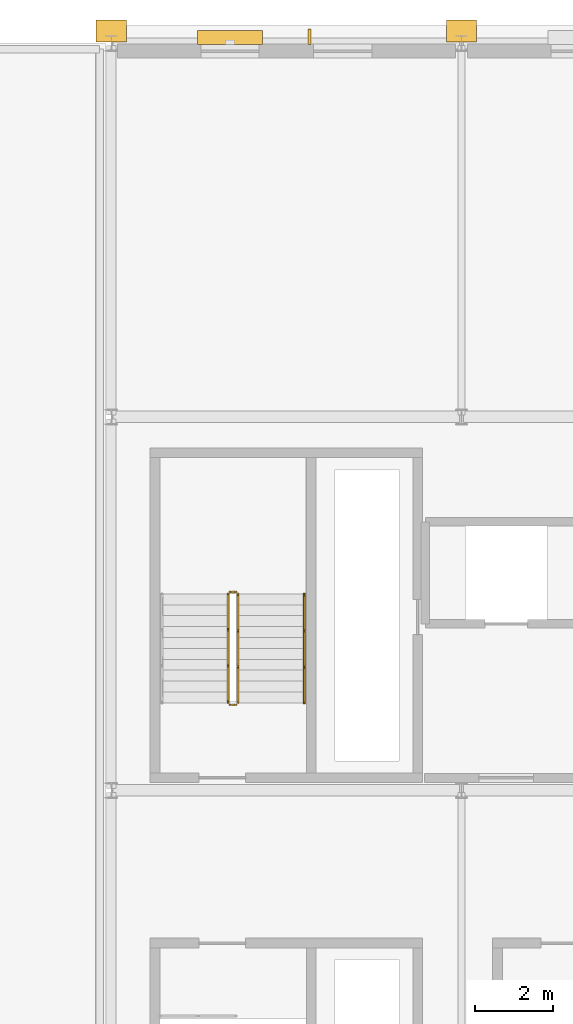
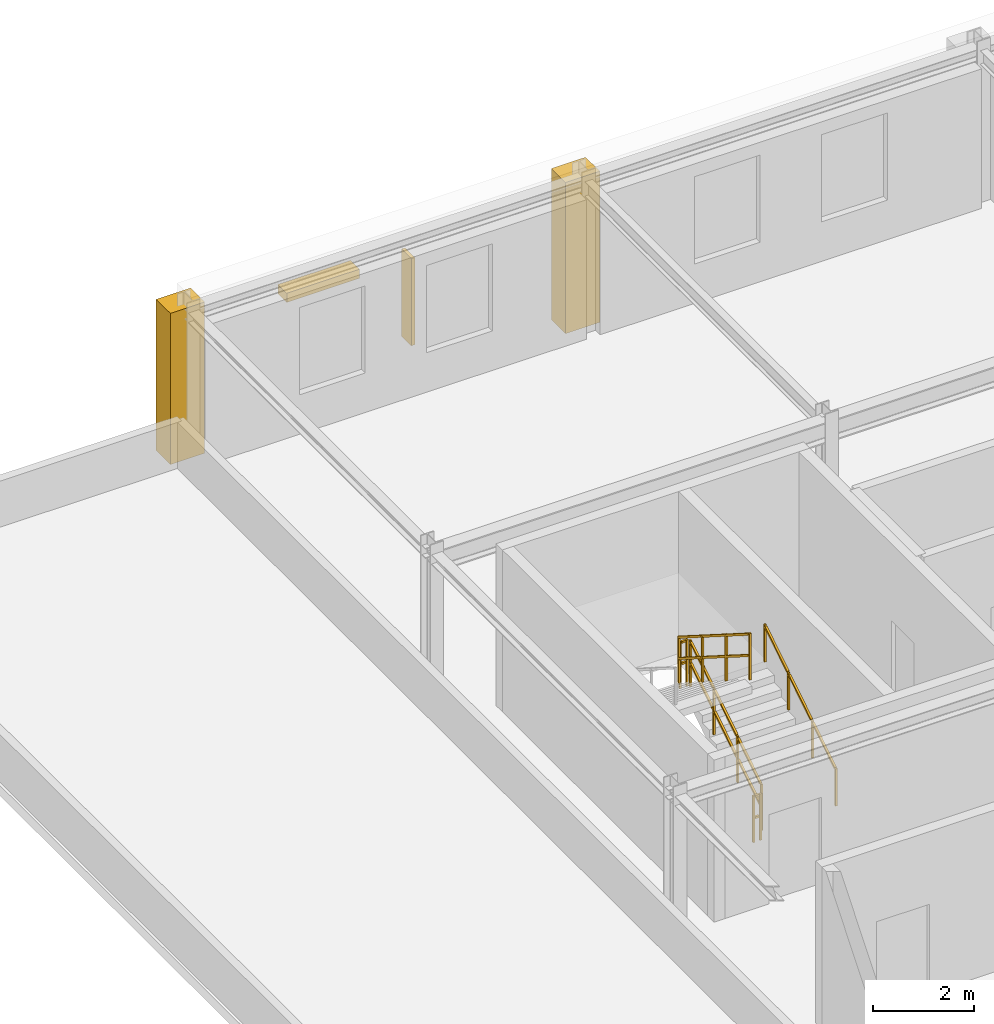
# One storey, part 48 of 52: 5 railings, 2 coverings, 2 shading devices.
"""IFC4 building model written with IfcOpenShell, lengths in metres."""

from ifc_helpers import new_model, si_unit, direction, frame, origin, origin_2d, place, context, subcontext, project, spatial, rectangle, extrude, material, layer, layer_set, type_object, element, save


model = new_model("IFC4")

# Units and contexts
model_context = context("Model", 3, precision=1e-05, world=origin(), true_north=direction((0.0, 1.0)))
body_context = subcontext(model_context, "Body", "Model", "MODEL_VIEW")
ifc_project = project(units=[si_unit("LENGTHUNIT", "METRE"), si_unit("AREAUNIT", "SQUARE_METRE"), si_unit("VOLUMEUNIT", "CUBIC_METRE"), si_unit("PLANEANGLEUNIT", "RADIAN"), si_unit("MASSUNIT", "GRAM", prefix="KILO")], contexts=[model_context])

# Site, building, storey
site_placement = place(None, origin())
site = spatial("IfcSite", under=ifc_project, at=site_placement, CompositionType="ELEMENT")
building_placement = place(site_placement, origin())
building = spatial("IfcBuilding", under=site, at=building_placement, Name="Myrtia Square Station", CompositionType="ELEMENT")
storey_placement = place(building_placement, frame((0.0, 0.0, 15.0)))
storey = spatial("IfcBuildingStorey", under=building, at=storey_placement, Name="L03", CompositionType="ELEMENT", Elevation=15.0)

# Coverings
ifc_material_1 = material(Name="Pentelic marble ashlar", Category="masonry")
ifc_layer = layer(ifc_material_1, 0.4599609375, Name="Pentelic marble ashlar")
ifc_layer_set = layer_set([ifc_layer], Name="Pentelic marble ashlar")
covering_type = type_object("IfcCoveringType", Name="COV-ARCH-ASHLAR", PredefinedType="CLADDING", material=ifc_layer_set)
for number, where, z_axis, x_axis, name in (
    (1, (126.0, 125.1201171875, -0.0400390625), (0.0, 0.0, 1.0), (1.0, 0.0, 0.0), "Classical Pentelic ashlar pilaster 066"),
    (2, (135.0, 125.1201171875, -0.0400390625), (0.0, 0.0, 1.0), (1.0, 0.0, 0.0), "Classical Pentelic ashlar pilaster 075"),
):
    element("IfcCovering", number, at=place(storey_placement, frame(where, z_axis=z_axis, x_axis=x_axis)), inside=storey, type_object=covering_type, Name=name, PredefinedType="CLADDING", context=body_context, shape_type="SweptSolid", body=[
        extrude(rectangle(XDim=0.780029296875, YDim=0.56005859375, at=origin_2d()), origin(), (0.0, 0.0, 1.0), 3.639892578125),
    ])

# Railings
ifc_material_2 = material(Name="Dark bronze anodised aluminium", Category="aluminium")
railing_type_1 = type_object("IfcRailingType", Name="RL-HANDRAIL-900", PredefinedType="HANDRAIL", material=ifc_material_2)
railing_1_placement = place(storey_placement, frame((130.9599609375, 107.85009765625, 0.17724609375)))
element("IfcRailing", 3, at=railing_1_placement, inside=storey, type_object=railing_type_1, Name="L03 ST07 stair handrail 1", PredefinedType="HANDRAIL", context=body_context, shape_type="SweptSolid", body=[
    extrude(rectangle(XDim=0.048095703125, YDim=0.048095703125, at=origin_2d()), frame((0.0, 0.029296875, 0.894287109375), z_axis=(0.0, 0.844887892834, 0.53494340686), x_axis=(-1.0, 0.0, 0.0)), (0.0, 0.0, 1.0), 1.035400390625),
    extrude(rectangle(XDim=0.048095703125, YDim=0.048095703125, at=origin_2d()), frame((0.0, 0.962646484375, 1.4853515625), z_axis=(0.0, 0.844887892834, 0.53494340686), x_axis=(-1.0, 0.0, 0.0)), (0.0, 0.0, 1.0), 1.035400390625),
    extrude(rectangle(XDim=0.048095703125, YDim=0.048095703125, at=origin_2d()), frame((0.0, 1.895751953125, 2.076171875), z_axis=(0.0, 0.844887892834, 0.53494340686), x_axis=(-1.0, 0.0, 0.0)), (0.0, 0.0, 1.0), 1.035400390625),
    extrude(rectangle(XDim=0.0439453125, YDim=0.0439453125, at=origin_2d()), origin(), (0.0, 0.0, 1.0), 0.89990234375),
    extrude(rectangle(XDim=0.0439453125, YDim=0.0439453125, at=origin_2d()), frame((0.0, 0.933349609375, 0.5908203125)), (0.0, 0.0, 1.0), 0.89990234375),
    extrude(rectangle(XDim=0.0439453125, YDim=0.0439453125, at=origin_2d()), frame((0.0, 1.866455078125, 1.181884765625)), (0.0, 0.0, 1.0), 0.89990234375),
    extrude(rectangle(XDim=0.0439453125, YDim=0.0439453125, at=origin_2d()), frame((0.0, 2.7998046875, 1.772705078125)), (0.0, 0.0, 1.0), 0.89990234375),
])
ifc_material_3 = material(Name="Wrought iron", Category="steel")
railing_type_2 = type_object("IfcRailingType", Name="RL-INT-GUARD-1100", PredefinedType="BALUSTRADE", material=ifc_material_3)
railing_2_placement = place(storey_placement, frame((129.260009765625, 107.85009765625, 0.17724609375)))
element("IfcRailing", 4, at=railing_2_placement, inside=storey, type_object=railing_type_2, Name="L03 ST07 stair guard 1", PredefinedType="BALUSTRADE", context=body_context, shape_type="SweptSolid", body=[
    extrude(rectangle(XDim=0.048095703125, YDim=0.048095703125, at=origin_2d()), frame((0.0, 0.029296875, 1.114501953125), z_axis=(0.0, 0.844887892834, 0.53494340686), x_axis=(-1.0, 0.0, 0.0)), (0.0, 0.0, 1.0), 1.035400390625),
    extrude(rectangle(XDim=0.048095703125, YDim=0.048095703125, at=origin_2d()), frame((0.0, 0.029296875, 0.60107421875), z_axis=(0.0, 0.844887892834, 0.53494340686), x_axis=(-1.0, 0.0, 0.0)), (0.0, 0.0, 1.0), 1.035400390625),
    extrude(rectangle(XDim=0.048095703125, YDim=0.048095703125, at=origin_2d()), frame((0.0, 0.962646484375, 1.70556640625), z_axis=(0.0, 0.844887892834, 0.53494340686), x_axis=(-1.0, 0.0, 0.0)), (0.0, 0.0, 1.0), 1.035400390625),
    extrude(rectangle(XDim=0.048095703125, YDim=0.048095703125, at=origin_2d()), frame((0.0, 0.962646484375, 1.19189453125), z_axis=(0.0, 0.844887892834, 0.53494340686), x_axis=(-1.0, 0.0, 0.0)), (0.0, 0.0, 1.0), 1.035400390625),
    extrude(rectangle(XDim=0.048095703125, YDim=0.048095703125, at=origin_2d()), frame((0.0, 1.895751953125, 2.29638671875), z_axis=(0.0, 0.844887892834, 0.53494340686), x_axis=(-1.0, 0.0, 0.0)), (0.0, 0.0, 1.0), 1.035400390625),
    extrude(rectangle(XDim=0.048095703125, YDim=0.048095703125, at=origin_2d()), frame((0.0, 1.895751953125, 1.78271484375), z_axis=(0.0, 0.844887892834, 0.53494340686), x_axis=(-1.0, 0.0, 0.0)), (0.0, 0.0, 1.0), 1.035400390625),
    extrude(rectangle(XDim=0.0439453125, YDim=0.0439453125, at=origin_2d()), origin(), (0.0, 0.0, 1.0), 1.1201171875),
    extrude(rectangle(XDim=0.0439453125, YDim=0.0439453125, at=origin_2d()), frame((0.0, 0.933349609375, 0.5908203125)), (0.0, 0.0, 1.0), 1.1201171875),
    extrude(rectangle(XDim=0.0439453125, YDim=0.0439453125, at=origin_2d()), frame((0.0, 1.866455078125, 1.181884765625)), (0.0, 0.0, 1.0), 1.1201171875),
    extrude(rectangle(XDim=0.0439453125, YDim=0.0439453125, at=origin_2d()), frame((0.0, 2.7998046875, 1.772705078125)), (0.0, 0.0, 1.0), 1.1201171875),
])
railing_3_placement = place(storey_placement, frame((129.2099609375, 110.699951171875, 1.949951171875)))
element("IfcRailing", 5, at=railing_3_placement, inside=storey, type_object=railing_type_2, Name="L03 ST07 stair guard 2", PredefinedType="BALUSTRADE", context=body_context, shape_type="SweptSolid", body=[
    extrude(rectangle(XDim=0.048095703125, YDim=0.048095703125, at=origin_2d()), frame((-0.03466796875, 0.0, 1.09619140625), z_axis=(-1.0, 0.0, 0.0), x_axis=(0.0, -1.0, 0.0)), (0.0, 0.0, 1.0), 0.090576171875),
    extrude(rectangle(XDim=0.048095703125, YDim=0.048095703125, at=origin_2d()), frame((-0.03466796875, 0.0, 0.58251953125), z_axis=(-1.0, 0.0, 0.0), x_axis=(0.0, -1.0, 0.0)), (0.0, 0.0, 1.0), 0.090576171875),
    extrude(rectangle(XDim=0.0439453125, YDim=0.0439453125, at=origin_2d()), origin(), (0.0, 0.0, 1.0), 1.1201171875),
    extrude(rectangle(XDim=0.0439453125, YDim=0.0439453125, at=origin_2d()), frame((-0.159912109375, 0.0, 0.0)), (0.0, 0.0, 1.0), 1.1201171875),
])
railing_4_placement = place(storey_placement, frame((129.0, 110.64990234375, 2.127197265625)))
element("IfcRailing", 6, at=railing_4_placement, inside=storey, type_object=railing_type_2, Name="L03 ST07 stair guard 3", PredefinedType="BALUSTRADE", context=body_context, shape_type="SweptSolid", body=[
    extrude(rectangle(XDim=0.048095703125, YDim=0.048095703125, at=origin_2d()), frame((0.0, -0.029296875, 1.114501953125), z_axis=(0.0, -0.844887892834, 0.53494340686), x_axis=(1.0, 0.0, 0.0)), (0.0, 0.0, 1.0), 1.035400390625),
    extrude(rectangle(XDim=0.048095703125, YDim=0.048095703125, at=origin_2d()), frame((0.0, -0.029296875, 0.60107421875), z_axis=(0.0, -0.844887892834, 0.53494340686), x_axis=(1.0, 0.0, 0.0)), (0.0, 0.0, 1.0), 1.035400390625),
    extrude(rectangle(XDim=0.048095703125, YDim=0.048095703125, at=origin_2d()), frame((0.0, -0.962646484375, 1.70556640625), z_axis=(0.0, -0.844887892834, 0.53494340686), x_axis=(1.0, 0.0, 0.0)), (0.0, 0.0, 1.0), 1.035400390625),
    extrude(rectangle(XDim=0.048095703125, YDim=0.048095703125, at=origin_2d()), frame((0.0, -0.962646484375, 1.19189453125), z_axis=(0.0, -0.844887892834, 0.53494340686), x_axis=(1.0, 0.0, 0.0)), (0.0, 0.0, 1.0), 1.035400390625),
    extrude(rectangle(XDim=0.048095703125, YDim=0.048095703125, at=origin_2d()), frame((0.0, -1.895751953125, 2.29638671875), z_axis=(0.0, -0.844887892834, 0.53494340686), x_axis=(1.0, 0.0, 0.0)), (0.0, 0.0, 1.0), 1.035400390625),
    extrude(rectangle(XDim=0.048095703125, YDim=0.048095703125, at=origin_2d()), frame((0.0, -1.895751953125, 1.78271484375), z_axis=(0.0, -0.844887892834, 0.53494340686), x_axis=(1.0, 0.0, 0.0)), (0.0, 0.0, 1.0), 1.035400390625),
    extrude(rectangle(XDim=0.0439453125, YDim=0.0439453125, at=origin_2d()), origin(), (0.0, 0.0, 1.0), 1.1201171875),
    extrude(rectangle(XDim=0.0439453125, YDim=0.0439453125, at=origin_2d()), frame((0.0, -0.933349609375, 0.5908203125)), (0.0, 0.0, 1.0), 1.1201171875),
    extrude(rectangle(XDim=0.0439453125, YDim=0.0439453125, at=origin_2d()), frame((0.0, -1.866455078125, 1.181884765625)), (0.0, 0.0, 1.0), 1.1201171875),
    extrude(rectangle(XDim=0.0439453125, YDim=0.0439453125, at=origin_2d()), frame((0.0, -2.7998046875, 1.772705078125)), (0.0, 0.0, 1.0), 1.1201171875),
])
railing_5_placement = place(storey_placement, frame((129.2099609375, 107.800048828125, 0.0)))
element("IfcRailing", 7, at=railing_5_placement, inside=storey, type_object=railing_type_2, Name="L03 ST07 stair guard 4", PredefinedType="BALUSTRADE", context=body_context, shape_type="SweptSolid", body=[
    extrude(rectangle(XDim=0.048095703125, YDim=0.048095703125, at=origin_2d()), frame((-0.03466796875, 0.0, 1.09619140625), z_axis=(-1.0, 0.0, 0.0), x_axis=(0.0, -1.0, 0.0)), (0.0, 0.0, 1.0), 0.090576171875),
    extrude(rectangle(XDim=0.048095703125, YDim=0.048095703125, at=origin_2d()), frame((-0.03466796875, 0.0, 0.58251953125), z_axis=(-1.0, 0.0, 0.0), x_axis=(0.0, -1.0, 0.0)), (0.0, 0.0, 1.0), 0.090576171875),
    extrude(rectangle(XDim=0.0439453125, YDim=0.0439453125, at=origin_2d()), origin(), (0.0, 0.0, 1.0), 1.1201171875),
    extrude(rectangle(XDim=0.0439453125, YDim=0.0439453125, at=origin_2d()), frame((-0.159912109375, 0.0, 0.0)), (0.0, 0.0, 1.0), 1.1201171875),
])

# Shading devices
shading_device_type_1 = type_object("IfcShadingDeviceType", Name="SHD-FIN-BRONZE", PredefinedType="USERDEFINED", material=ifc_material_2)
shading_device_1_placement = place(storey_placement, frame((131.097900390625, 124.969970703125, 0.949951171875), z_axis=(0.0, 0.0, 1.0), x_axis=(1.0, 0.0, 0.0)))
element("IfcShadingDevice", 8, at=shading_device_1_placement, inside=storey, type_object=shading_device_type_1, Name="Vertical bronze solar fin SHF-063", ObjectType="FIN", PredefinedType="USERDEFINED", context=body_context, shape_type="SweptSolid", body=[
    extrude(rectangle(XDim=0.080078125, YDim=0.389892578125, at=origin_2d()), origin(), (0.0, 0.0, 1.0), 2.10009765625),
])
shading_device_type_2 = type_object("IfcShadingDeviceType", Name="SHD-JALOUSIE-BRONZE", PredefinedType="JALOUSIE", material=ifc_material_2)
shading_device_2_placement = place(storey_placement, frame((129.052001953125, 124.949951171875, 2.990234375), z_axis=(0.0, 0.0, 1.0), x_axis=(1.0, 0.0, 0.0)))
element("IfcShadingDevice", 9, at=shading_device_2_placement, inside=storey, type_object=shading_device_type_2, Name="Mediterranean bronze solar louvre SHL-063", PredefinedType="JALOUSIE", context=body_context, shape_type="SweptSolid", body=[
    extrude(rectangle(XDim=1.659912109375, YDim=0.35009765625, at=origin_2d()), origin(), (0.0, 0.0, 1.0), 0.219970703125),
])

save(model, "model.ifc")
